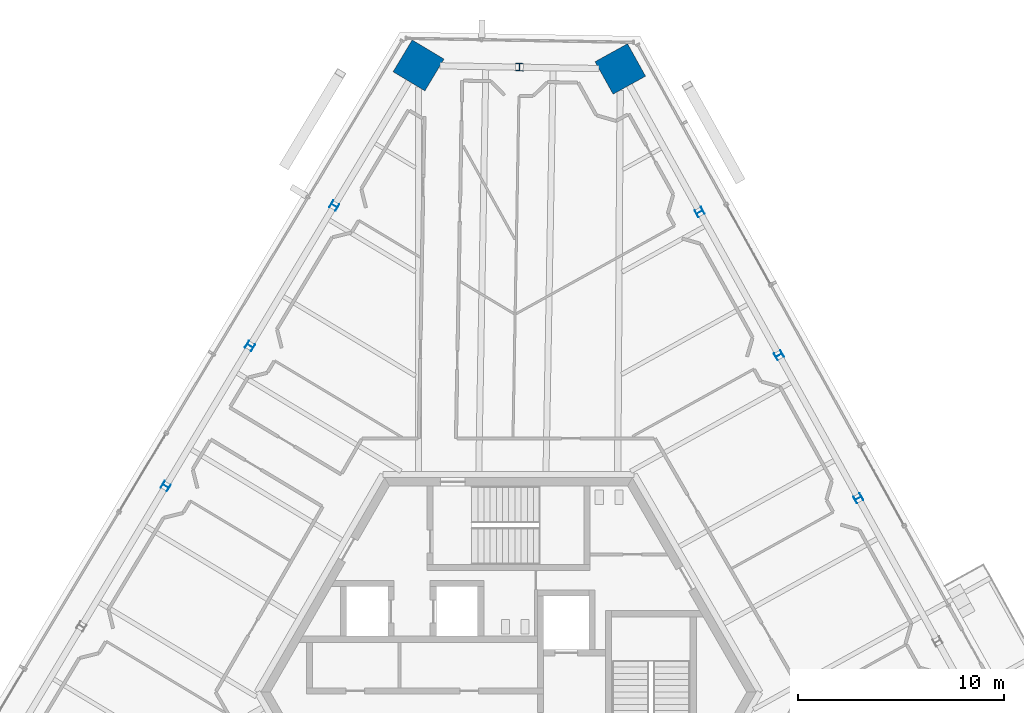
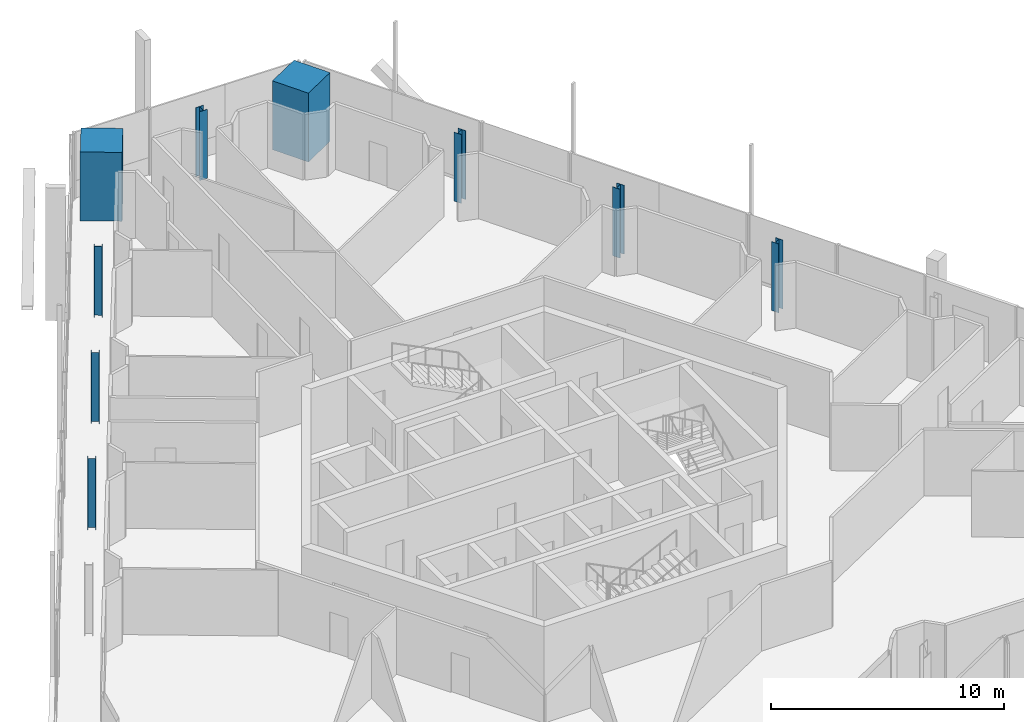
# One storey, part 3 of 22: 9 columns.
"""IFC4 building model written with IfcOpenShell, lengths in metres."""

import ifcopenshell
import ifcopenshell.guid

model = None  # the IFC model being written
_history = None  # IfcOwnerHistory: only IFC2X3 demands one
_inside = {}  # id of a spatial element -> (the spatial element, [elements in it])
_under = {}  # id of a project, library or spatial element -> (it, [spatial elements below it])
_declared = {}  # id of a project -> (the project, [libraries it declares])
_typed = {}  # id of a type object -> (the type object, [elements of that type])
_made_of = {}  # id of a material, layer set ... -> (it, [elements and type objects made of it])


def new_model(schema):
    """Start an empty IFC model of exactly this schema.

    Asked for "IFC4X3", IfcOpenShell would pick the latest addendum, in which some entities
    have other attributes; the version numbers below select the first issue.
    IFC2X3 requires an IfcOwnerHistory on every rooted entity: one is made here for all.
    """
    global model, _history
    if schema == "IFC4X3":
        model = ifcopenshell.file(schema_version=(4, 3, 0, 0))
    else:
        model = ifcopenshell.file(schema=schema)
    _inside.clear()
    _under.clear()
    _declared.clear()
    _typed.clear()
    _made_of.clear()
    _history = None
    if model.schema == "IFC2X3":
        org = make("IfcOrganization", Name="unknown")
        user = make(
            "IfcPersonAndOrganization",
            ThePerson=make("IfcPerson", FamilyName="unknown"),
            TheOrganization=org,
        )
        app = make(
            "IfcApplication",
            ApplicationDeveloper=org,
            Version="unknown",
            ApplicationFullName="unknown",
            ApplicationIdentifier="unknown",
        )
        _history = make(
            "IfcOwnerHistory",
            OwningUser=user,
            OwningApplication=app,
            ChangeAction="ADDED",
            CreationDate=0,
        )
    return model


def make(cls, **values):
    """One entity of the class cls with the attributes given. An attribute that is None is left unset."""
    return model.create_entity(
        cls, **{name: value for name, value in values.items() if value is not None}
    )


def rooted(cls, **values):
    """An entity with a GlobalId (a new one), such as an element, a storey or a relation."""
    return make(cls, GlobalId=ifcopenshell.guid.new(), OwnerHistory=_history, **values)


def si_unit(unit_type, name, prefix=None):
    """IfcSIUnit, for example si_unit("LENGTHUNIT", "METRE", prefix="MILLI")."""
    return make("IfcSIUnit", UnitType=unit_type, Prefix=prefix, Name=name)


def assignment(units):
    """IfcUnitAssignment: the units of a project."""
    return None if units is None else make("IfcUnitAssignment", Units=units)


def point(xyz):
    """IfcCartesianPoint."""
    return None if xyz is None else make("IfcCartesianPoint", Coordinates=xyz)


def direction(xyz):
    """IfcDirection."""
    return None if xyz is None else make("IfcDirection", DirectionRatios=xyz)


def frame(location, z_axis=None, x_axis=None):
    """IfcAxis2Placement3D, a coordinate frame: its origin and axes. An axis left out is left unset."""
    return make(
        "IfcAxis2Placement3D",
        Location=point(location),
        Axis=direction(z_axis),
        RefDirection=direction(x_axis),
    )


def frame_2d(location, x_axis=None):
    """IfcAxis2Placement2D, a coordinate frame in the plane: its origin and x axis."""
    return make(
        "IfcAxis2Placement2D", Location=point(location), RefDirection=direction(x_axis)
    )


def origin():
    """The frame at (0, 0, 0) with its axes left unset."""
    return frame((0.0, 0.0, 0.0))


def origin_2d():
    """The frame at (0, 0) in the plane with its x axis left unset."""
    return frame_2d((0.0, 0.0))


def place(relative_to, where):
    """IfcLocalPlacement: puts the frame where relative to a parent placement (None: the world)."""
    return make(
        "IfcLocalPlacement", PlacementRelTo=relative_to, RelativePlacement=where
    )


def context(
    kind, dimensions, precision=None, world=None, true_north=None, identifier=None
):
    """IfcGeometricRepresentationContext, for example the 3D "Model" context."""
    return make(
        "IfcGeometricRepresentationContext",
        ContextIdentifier=identifier,
        ContextType=kind,
        CoordinateSpaceDimension=dimensions,
        Precision=precision,
        WorldCoordinateSystem=world,
        TrueNorth=true_north,
    )


def subcontext(parent, identifier, kind, view, scale=None):
    """IfcGeometricRepresentationSubContext, for example "Body" below "Model"."""
    return make(
        "IfcGeometricRepresentationSubContext",
        ContextIdentifier=identifier,
        ContextType=kind,
        ParentContext=parent,
        TargetScale=scale,
        TargetView=view,
    )


def project(units=None, contexts=None):
    """IfcProject with its units and contexts."""
    return rooted(
        "IfcProject",
        Name="project",
        RepresentationContexts=contexts,
        UnitsInContext=assignment(units),
    )


def spatial(cls, under=None, at=None, **own):
    """A site, building, storey or space (cls), placed at a placement, below another one or the project."""
    s = rooted(cls, ObjectPlacement=at, **own)
    if under is not None:
        _under.setdefault(under.id(), (under, []))[1].append(s)
    return s


def profile(cls, at=None, kind="AREA", **sizes):
    """A parametric profile (cls). Its sizes go by their IFC names, for example OverallWidth=200.0."""
    return make(cls, ProfileType=kind, Position=at, **sizes)


def rectangle(**sizes):
    """IfcRectangleProfileDef."""
    return profile("IfcRectangleProfileDef", **sizes)


def i_section(**sizes):
    """IfcIShapeProfileDef."""
    return profile("IfcIShapeProfileDef", **sizes)


def extrude(swept, where, along, depth):
    """IfcExtrudedAreaSolid: the profile swept, set in the frame where, extruded along a direction by depth."""
    return make(
        "IfcExtrudedAreaSolid",
        SweptArea=swept,
        Position=where,
        ExtrudedDirection=direction(along),
        Depth=depth,
    )


def shape(context_of_items, identifier, shape_type, items):
    """IfcShapeRepresentation: the items that make up one representation, for example the "Body"."""
    return make(
        "IfcShapeRepresentation",
        ContextOfItems=context_of_items,
        RepresentationIdentifier=identifier,
        RepresentationType=shape_type,
        Items=items,
    )


def source(mapping_origin, context_of_items, identifier, shape_type, items):
    """IfcRepresentationMap: a shape defined once, which mapped items show again and again."""
    return make(
        "IfcRepresentationMap",
        MappingOrigin=mapping_origin,
        MappedRepresentation=shape(context_of_items, identifier, shape_type, items),
    )


def transform(
    local_origin,
    x_axis=None,
    y_axis=None,
    z_axis=None,
    scale=None,
    scale2=None,
    scale3=None,
    uniform=True,
):
    """IfcCartesianTransformationOperator3D, or its non-uniform kind. x_axis, y_axis, z_axis: its Axis1, 2, 3."""
    if uniform:
        return make(
            "IfcCartesianTransformationOperator3D",
            Axis1=direction(x_axis),
            Axis2=direction(y_axis),
            LocalOrigin=point(local_origin),
            Scale=scale,
            Axis3=direction(z_axis),
        )
    return make(
        "IfcCartesianTransformationOperator3DnonUniform",
        Axis1=direction(x_axis),
        Axis2=direction(y_axis),
        LocalOrigin=point(local_origin),
        Scale=scale,
        Axis3=direction(z_axis),
        Scale2=scale2,
        Scale3=scale3,
    )


def mapped(mapping_source, mapping_target):
    """IfcMappedItem: shows the shape of a source again, moved by a transform."""
    return make(
        "IfcMappedItem", MappingSource=mapping_source, MappingTarget=mapping_target
    )


def material(Name=None, Category=None):
    """IfcMaterial."""
    return make("IfcMaterial", Name=Name, Category=Category)


def material_profile(
    of_material, cross_section, Name=None, Category=None, Priority=None
):
    """IfcMaterialProfile: a cross section and its material."""
    return make(
        "IfcMaterialProfile",
        Name=Name,
        Material=of_material,
        Profile=cross_section,
        Priority=Priority,
        Category=Category,
    )


def profile_set(profiles, Name=None, composite=None):
    """IfcMaterialProfileSet."""
    return make(
        "IfcMaterialProfileSet",
        Name=Name,
        MaterialProfiles=profiles,
        CompositeProfile=composite,
    )


def made_of(thing, what):
    """Note that an element or type object is made of a material, layer set ...; save() writes the relation."""
    if what is not None:
        _made_of.setdefault(what.id(), (what, []))[1].append(thing)
    return thing


def type_object(cls, material=None, **own):
    """A type object (cls), such as IfcWallType, which elements share."""
    return made_of(rooted(cls, **own), material)


def element(
    cls,
    number,
    at=None,
    inside=None,
    cuts=None,
    type_object=None,
    material=None,
    context=None,
    identifier="Body",
    shape_type=None,
    held_by="IfcProductDefinitionShape",
    body=None,
    shapes=None,
    **own,
):
    """One element of the class cls, such as IfcWall. Its Tag is "e" and its number.

    at: its placement. inside: the storey or other place that contains it. cuts: it is an
    opening in that element (IfcRelVoidsElement). A single representation is given by context,
    identifier, shape_type and body (its items); several are given by shapes. held_by: the class
    of the entity that holds the representations. save() writes the other relations.
    """
    e = rooted(cls, Tag="e%d" % number, ObjectPlacement=at, **own)
    if body is not None:
        shapes = [shape(context, identifier, shape_type, body)]
    if shapes is not None:
        e.Representation = make(held_by, Representations=shapes)
    if inside is not None:
        _inside.setdefault(inside.id(), (inside, []))[1].append(e)
    if cuts is not None:
        rooted(
            "IfcRelVoidsElement", RelatingBuildingElement=cuts, RelatedOpeningElement=e
        )
    if type_object is not None:
        _typed.setdefault(type_object.id(), (type_object, []))[1].append(e)
    return made_of(e, material)


def aggregate(whole, parts):
    """IfcRelAggregates: a whole, such as a stair, and the parts it consists of."""
    return rooted("IfcRelAggregates", RelatingObject=whole, RelatedObjects=parts)


def save(model, path):
    """Write the relations noted so far, then the file.

    IfcRelAggregates (storeys below a building ...), IfcRelContainedInSpatialStructure (elements
    in a storey), IfcRelDefinesByType, IfcRelAssociatesMaterial and IfcRelDeclares: one each for
    every whole, place, type object, material and project.
    """
    for whole, parts in _under.values():
        aggregate(whole, parts)
    for where, things in _inside.values():
        rooted(
            "IfcRelContainedInSpatialStructure",
            RelatedElements=things,
            RelatingStructure=where,
        )
    for kind, things in _typed.values():
        rooted("IfcRelDefinesByType", RelatedObjects=things, RelatingType=kind)
    for what, things in _made_of.values():
        rooted("IfcRelAssociatesMaterial", RelatedObjects=things, RelatingMaterial=what)
    for by, libraries in _declared.values():
        rooted("IfcRelDeclares", RelatingContext=by, RelatedDefinitions=libraries)
    model.write(path)


model = new_model("IFC4")

# Units and contexts
model_context = context("Model", 3, precision=1e-05, world=origin(), true_north=direction((0.0, 1.0)))
body_context = subcontext(model_context, "Body", "Model", "MODEL_VIEW")
ifc_project = project(units=[si_unit("LENGTHUNIT", "METRE"), si_unit("AREAUNIT", "SQUARE_METRE"), si_unit("VOLUMEUNIT", "CUBIC_METRE"), si_unit("PLANEANGLEUNIT", "RADIAN"), si_unit("MASSUNIT", "GRAM", prefix="KILO")], contexts=[model_context])

# Site, building, storey
site_placement = place(None, origin())
site = spatial("IfcSite", under=ifc_project, at=site_placement, CompositionType="ELEMENT")
building_placement = place(site_placement, origin())
building = spatial("IfcBuilding", under=site, at=building_placement, Name="Triune Harvest Tower", CompositionType="ELEMENT")
storey_placement = place(building_placement, frame((0.0, 0.0, 208.699951171875)))
storey = spatial("IfcBuildingStorey", under=building, at=storey_placement, Name="L54", CompositionType="ELEMENT", Elevation=208.699951171875)

# Columns
ifc_material_1 = material(Name="Concrete 70 MPa", Category="concrete")
ifc_material_profile_1 = material_profile(ifc_material_1, rectangle(XDim=1.800048828125, YDim=1.800048828125, at=origin_2d()), Name="Composite 1800x1800")
ifc_profile_set_1 = profile_set([ifc_material_profile_1], Name="Concrete 70 MPa")
column_type_1 = type_object("IfcColumnType", Name="MC-5 Mega column Composite 1800x1800", PredefinedType="COLUMN", material=ifc_profile_set_1)
shared_shape_1 = source(origin(), body_context, "Body", "SweptSolid", [
    extrude(rectangle(XDim=1.800048828125, YDim=1.800048828125, at=origin_2d()), origin(), (0.0, 0.0, 1.0), 3.60009765625),
])
for number, where, z_axis, x_axis, name in (
    (1, (5.416015625, 30.193115234375, 0.0), (0.0, 0.0, 1.0), (-0.484809620246, 0.874619707139, 0.0), "col/L54/M6"),
    (2, (-4.359130859375, 30.36376953125, 0.0), (0.0, 0.0, 1.0), (-0.51503657887, -0.857168199612, 0.0), "col/L54/M8"),
):
    element("IfcColumn", number, at=place(storey_placement, frame(where, z_axis=z_axis, x_axis=x_axis)), inside=storey, type_object=column_type_1, Name=name, PredefinedType="COLUMN", context=body_context, shape_type="MappedRepresentation", body=[
        mapped(shared_shape_1, transform((0.0, 0.0, 0.0), scale=1.0)),
    ])
ifc_material_2 = material(Name="Steel ASTM A992 Gr 50", Category="steel")
ifc_material_profile_2 = material_profile(ifc_material_2, i_section(OverallWidth=0.370849609375, OverallDepth=0.36328125, WebThickness=0.013427734375, FlangeThickness=0.021728515625, at=origin_2d()), Name="W14x109")
ifc_profile_set_2 = profile_set([ifc_material_profile_2], Name="Steel ASTM A992 Gr 50")
column_type_2 = type_object("IfcColumnType", Name="PC-5 Perimeter column W14x109", PredefinedType="COLUMN", material=ifc_profile_set_2)
shared_shape_2 = source(origin(), body_context, "Body", "SweptSolid", [
    extrude(i_section(OverallWidth=0.370849609375, OverallDepth=0.36328125, WebThickness=0.013427734375, FlangeThickness=0.021728515625, at=origin_2d()), origin(), (0.0, 0.0, 1.0), 3.60009765625),
])
for number, where, z_axis, x_axis, name in (
    (3, (16.94580078125, 9.39306640625, 0.0), (0.0, 0.0, 1.0), (-0.484809620246, 0.874619707139, 0.0), "col/L54/P3"),
    (4, (13.1025390625, 16.326416015625, 0.0), (0.0, 0.0, 1.0), (-0.484809620246, 0.874619707139, 0.0), "col/L54/P4"),
    (5, (9.25927734375, 23.259765625, 0.0), (0.0, 0.0, 1.0), (-0.484809620246, 0.874619707139, 0.0), "col/L54/P5"),
    (6, (0.528564453125, 30.2783203125, 0.0), (0.0, 0.0, 1.0), (-0.999847725615, 0.017450661374, 0.0), "col/L54/P7"),
    (7, (-8.44189453125, 23.568603515625, 0.0), (0.0, 0.0, 1.0), (-0.51503657887, -0.857168199612, 0.0), "col/L54/P9"),
    (8, (-12.524658203125, 16.773681640625, 0.0), (0.0, 0.0, 1.0), (-0.51503657887, -0.857168199612, 0.0), "col/L54/P10"),
    (9, (-16.607421875, 9.978759765625, 0.0), (0.0, 0.0, 1.0), (-0.51503657887, -0.857168199612, 0.0), "col/L54/P11"),
):
    element("IfcColumn", number, at=place(storey_placement, frame(where, z_axis=z_axis, x_axis=x_axis)), inside=storey, type_object=column_type_2, Name=name, PredefinedType="COLUMN", context=body_context, shape_type="MappedRepresentation", body=[
        mapped(shared_shape_2, transform((0.0, 0.0, 0.0), scale=1.0)),
    ])

save(model, "model.ifc")
